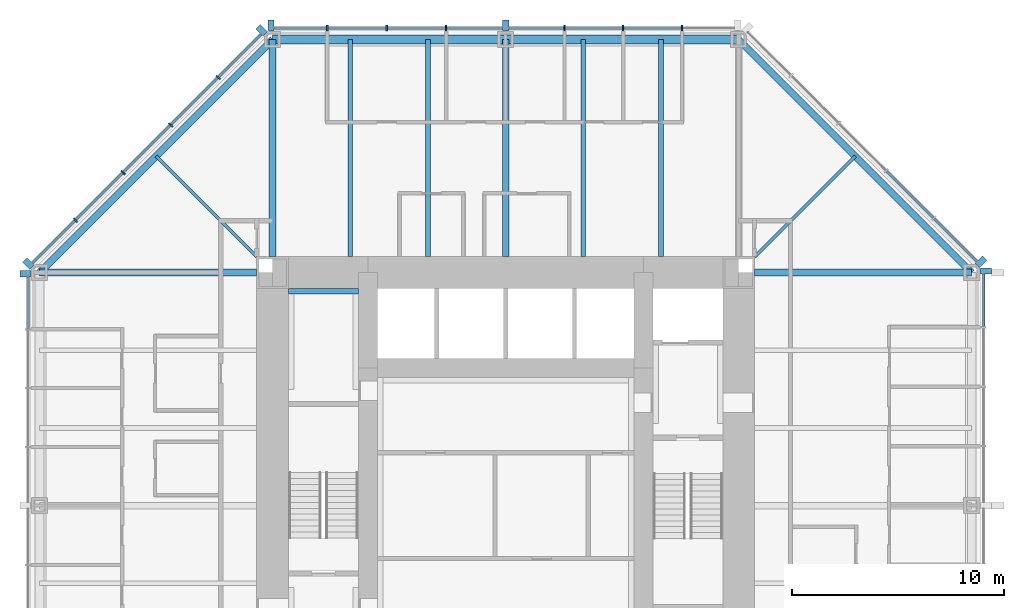
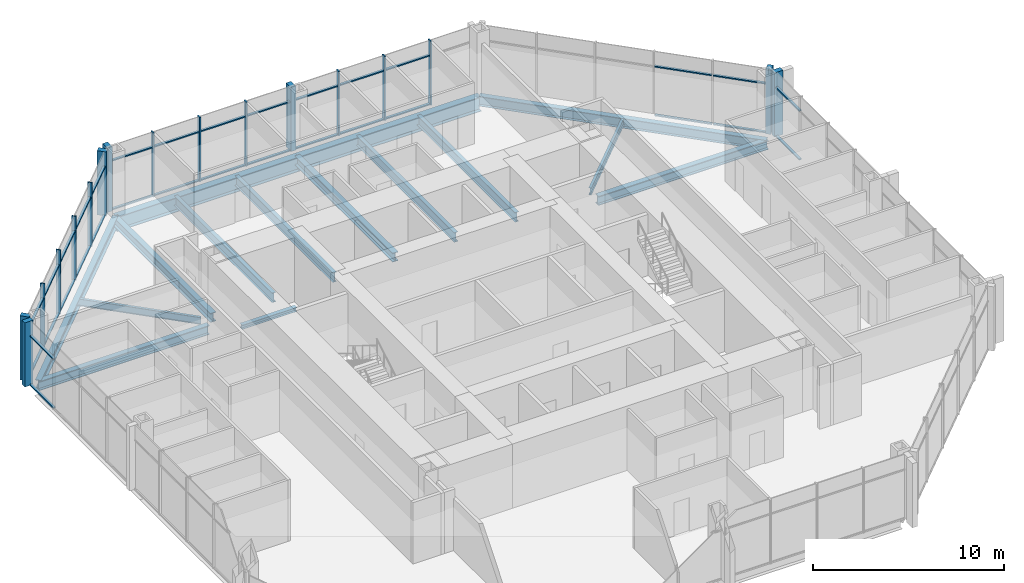
# One storey, part 5 of 14: 49 members, 15 beams, 5 elements without a shape of their own.
"""IFC4 building model written with IfcOpenShell, lengths in metres."""

from ifc_helpers import new_model, si_unit, direction, frame, origin, origin_2d, place, context, subcontext, project, spatial, rectangle, i_section, extrude, material, material_profile, profile_set, type_object, element, aggregate, save


model = new_model("IFC4")

# Units and contexts
model_context = context("Model", 3, precision=1e-05, world=origin(), true_north=direction((0.0, 1.0)))
body_context = subcontext(model_context, "Body", "Model", "MODEL_VIEW")
ifc_project = project(units=[si_unit("LENGTHUNIT", "METRE"), si_unit("AREAUNIT", "SQUARE_METRE"), si_unit("VOLUMEUNIT", "CUBIC_METRE"), si_unit("PLANEANGLEUNIT", "RADIAN"), si_unit("MASSUNIT", "GRAM", prefix="KILO")], contexts=[model_context])

# Site, building, storey
site_placement = place(None, origin())
site = spatial("IfcSite", under=ifc_project, at=site_placement, CompositionType="ELEMENT")
building_placement = place(site_placement, origin())
building = spatial("IfcBuilding", under=site, at=building_placement, Name="Trevanion Tower", CompositionType="ELEMENT")
storey_placement = place(building_placement, frame((0.0, 0.0, 109.0)))
storey = spatial("IfcBuildingStorey", under=building, at=storey_placement, Name="L25", CompositionType="ELEMENT", Elevation=109.0)

# Beams
ifc_material_1 = material(Name="Steel ASTM A992 Grade 50", Category="steel")
ifc_material_profile_1 = material_profile(ifc_material_1, i_section(OverallWidth=0.22900390625, OverallDepth=0.612060546875, WebThickness=0.011962890625, FlangeThickness=0.01953125, at=origin_2d()), Name="W24X84")
ifc_profile_set_1 = profile_set([ifc_material_profile_1], Name="Steel ASTM A992 Grade 50")
beam_type_1 = type_object("IfcBeamType", Name="B7 W24X84", PredefinedType="BEAM", material=ifc_profile_set_1)
for number, where, z_axis, x_axis, name in (
    (1, (7.333251953125, 11.75, -0.49609375), (0.0, 1.0, 0.0), (-1.0, 0.0, 0.0), "B7 L25"),
    (2, (3.666748046875, 11.75, -0.49609375), (0.0, 1.0, 0.0), (-1.0, 0.0, 0.0), "B7 L25"),
    (3, (-3.666748046875, 11.75, -0.49609375), (0.0, 1.0, 0.0), (-1.0, 0.0, 0.0), "B7 L25"),
    (4, (-7.333251953125, 11.75, -0.49609375), (0.0, 1.0, 0.0), (-1.0, 0.0, 0.0), "B7 L25"),
):
    element("IfcBeam", number, at=place(storey_placement, frame(where, z_axis=z_axis, x_axis=x_axis)), inside=storey, type_object=beam_type_1, Name=name, PredefinedType="BEAM", context=body_context, shape_type="SweptSolid", body=[
        extrude(i_section(OverallWidth=0.22900390625, OverallDepth=0.612060546875, WebThickness=0.011962890625, FlangeThickness=0.01953125, at=origin_2d()), origin(), (0.0, 0.0, 1.0), 10.25),
    ])
ifc_material_2 = material(Name="Steel ASTM A992 Grade 50", Category="steel")
ifc_material_profile_2 = material_profile(ifc_material_2, i_section(OverallWidth=0.15234375, OverallDepth=0.449462890625, WebThickness=0.007568359375, FlangeThickness=0.0107421875, at=origin_2d()), Name="W18X35")
ifc_profile_set_2 = profile_set([ifc_material_profile_2], Name="Steel ASTM A992 Grade 50")
beam_type_2 = type_object("IfcBeamType", Name="B8 W18X35", PredefinedType="BEAM", material=ifc_profile_set_2)
for number, where, z_axis, x_axis, name in (
    (5, (11.75, 11.75, -0.414794921875), (0.707106781187, 0.707106781187, 0.0), (-0.707106781187, 0.707106781187, 0.0), "B8 L25"),
    (6, (-11.75, 11.75, -0.414794921875), (-0.707106781187, 0.707106781187, 0.0), (-0.707106781187, -0.707106781187, 0.0), "B8 L25"),
):
    element("IfcBeam", number, at=place(storey_placement, frame(where, z_axis=z_axis, x_axis=x_axis)), inside=storey, type_object=beam_type_2, Name=name, PredefinedType="BEAM", context=body_context, shape_type="SweptSolid", body=[
        extrude(i_section(OverallWidth=0.15234375, OverallDepth=0.449462890625, WebThickness=0.007568359375, FlangeThickness=0.0107421875, at=origin_2d()), origin(), (0.0, 0.0, 1.0), 6.717529296875),
    ])

# Curtain wall, members
ifc_material_3 = material(Name="Aluminium and glass", Category="aluminium")
curtain_wall_type = type_object("IfcCurtainWallType", Name="CW2 curtain wall", PredefinedType="USERDEFINED", material=ifc_material_3)
curtain_wall_1_placement = place(storey_placement, origin())
curtain_wall_1 = element("IfcCurtainWall", 7, at=curtain_wall_1_placement, inside=storey, type_object=curtain_wall_type, Name="CW2 L25 2", ObjectType="UNITISED CURTAIN WALL", PredefinedType="USERDEFINED")
ifc_material_4 = material(Name="Aluminium extrusion, anodised bronze", Category="aluminium")
ifc_material_profile_3 = material_profile(ifc_material_4, rectangle(XDim=0.074951171875, YDim=0.25, at=origin_2d()), Name="CW2 mullion")
ifc_profile_set_3 = profile_set([ifc_material_profile_3], Name="Aluminium extrusion, anodised bronze")
member_type_1 = type_object("IfcMemberType", Name="CW2 mullion", PredefinedType="MULLION", material=ifc_profile_set_3)
member_1_placement = place(storey_placement, frame((8.323486328125, 22.550048828125, -0.18994140625), z_axis=(0.0, 0.0, 1.0), x_axis=(-1.0, 0.0, 0.0)))
member_1 = element("IfcMember", 8, at=member_1_placement, type_object=member_type_1, Name="CW2 mullion 2", PredefinedType="MULLION", context=body_context, shape_type="SweptSolid", body=[
    extrude(rectangle(XDim=0.074951171875, YDim=0.25, at=origin_2d()), origin(), (0.0, 0.0, 1.0), 4.099853515625),
])
member_2_placement = place(storey_placement, frame((5.548828125, 22.550048828125, -0.18994140625), z_axis=(0.0, 0.0, 1.0), x_axis=(-1.0, 0.0, 0.0)))
member_2 = element("IfcMember", 9, at=member_2_placement, type_object=member_type_1, Name="CW2 mullion 3", PredefinedType="MULLION", context=body_context, shape_type="SweptSolid", body=[
    extrude(rectangle(XDim=0.074951171875, YDim=0.25, at=origin_2d()), origin(), (0.0, 0.0, 1.0), 4.099853515625),
])
member_3_placement = place(storey_placement, frame((2.7744140625, 22.550048828125, -0.18994140625), z_axis=(0.0, 0.0, 1.0), x_axis=(-1.0, 0.0, 0.0)))
member_3 = element("IfcMember", 10, at=member_3_placement, type_object=member_type_1, Name="CW2 mullion 4", PredefinedType="MULLION", context=body_context, shape_type="SweptSolid", body=[
    extrude(rectangle(XDim=0.074951171875, YDim=0.25, at=origin_2d()), origin(), (0.0, 0.0, 1.0), 4.099853515625),
])
member_4_placement = place(storey_placement, frame((-2.806884765625, 22.550048828125, -0.18994140625), z_axis=(0.0, 0.0, 1.0), x_axis=(-1.0, 0.0, 0.0)))
member_4 = element("IfcMember", 11, at=member_4_placement, type_object=member_type_1, Name="CW2 mullion 6", PredefinedType="MULLION", context=body_context, shape_type="SweptSolid", body=[
    extrude(rectangle(XDim=0.074951171875, YDim=0.25, at=origin_2d()), origin(), (0.0, 0.0, 1.0), 4.099853515625),
])
member_5_placement = place(storey_placement, frame((-5.614013671875, 22.550048828125, -0.18994140625), z_axis=(0.0, 0.0, 1.0), x_axis=(-1.0, 0.0, 0.0)))
member_5 = element("IfcMember", 12, at=member_5_placement, type_object=member_type_1, Name="CW2 mullion 7", PredefinedType="MULLION", context=body_context, shape_type="SweptSolid", body=[
    extrude(rectangle(XDim=0.074951171875, YDim=0.25, at=origin_2d()), origin(), (0.0, 0.0, 1.0), 4.099853515625),
])
member_6_placement = place(storey_placement, frame((-8.4208984375, 22.550048828125, -0.18994140625), z_axis=(0.0, 0.0, 1.0), x_axis=(-1.0, 0.0, 0.0)))
member_6 = element("IfcMember", 13, at=member_6_placement, type_object=member_type_1, Name="CW2 mullion 8", PredefinedType="MULLION", context=body_context, shape_type="SweptSolid", body=[
    extrude(rectangle(XDim=0.074951171875, YDim=0.25, at=origin_2d()), origin(), (0.0, 0.0, 1.0), 4.099853515625),
])

curtain_wall_2_placement = place(storey_placement, origin())
curtain_wall_2 = element("IfcCurtainWall", 14, at=curtain_wall_2_placement, inside=storey, type_object=curtain_wall_type, Name="CW2 L25 3", ObjectType="UNITISED CURTAIN WALL", PredefinedType="USERDEFINED")
member_7_placement = place(storey_placement, frame((-13.56591796875, 20.2119140625, -0.18994140625), z_axis=(0.0, 0.0, 1.0), x_axis=(-0.707106781187, -0.707106781187, 0.0)))
member_7 = element("IfcMember", 15, at=member_7_placement, type_object=member_type_1, Name="CW2 mullion 2", PredefinedType="MULLION", context=body_context, shape_type="SweptSolid", body=[
    extrude(rectangle(XDim=0.074951171875, YDim=0.25, at=origin_2d()), origin(), (0.0, 0.0, 1.0), 4.099853515625),
])
member_8_placement = place(storey_placement, frame((-15.811767578125, 17.966064453125, -0.18994140625), z_axis=(0.0, 0.0, 1.0), x_axis=(-0.707106781187, -0.707106781187, 0.0)))
member_8 = element("IfcMember", 16, at=member_8_placement, type_object=member_type_1, Name="CW2 mullion 3", PredefinedType="MULLION", context=body_context, shape_type="SweptSolid", body=[
    extrude(rectangle(XDim=0.074951171875, YDim=0.25, at=origin_2d()), origin(), (0.0, 0.0, 1.0), 4.099853515625),
])
member_9_placement = place(storey_placement, frame((-18.057861328125, 15.719970703125, -0.18994140625), z_axis=(0.0, 0.0, 1.0), x_axis=(-0.707106781187, -0.707106781187, 0.0)))
member_9 = element("IfcMember", 17, at=member_9_placement, type_object=member_type_1, Name="CW2 mullion 4", PredefinedType="MULLION", context=body_context, shape_type="SweptSolid", body=[
    extrude(rectangle(XDim=0.074951171875, YDim=0.25, at=origin_2d()), origin(), (0.0, 0.0, 1.0), 4.099853515625),
])
member_10_placement = place(storey_placement, frame((-20.303955078125, 13.473876953125, -0.18994140625), z_axis=(0.0, 0.0, 1.0), x_axis=(-0.707106781187, -0.707106781187, 0.0)))
member_10 = element("IfcMember", 18, at=member_10_placement, type_object=member_type_1, Name="CW2 mullion 5", PredefinedType="MULLION", context=body_context, shape_type="SweptSolid", body=[
    extrude(rectangle(XDim=0.074951171875, YDim=0.25, at=origin_2d()), origin(), (0.0, 0.0, 1.0), 4.099853515625),
])

# Curtain wall, member
curtain_wall_3_placement = place(storey_placement, origin())
curtain_wall_3 = element("IfcCurtainWall", 19, at=curtain_wall_3_placement, inside=storey, type_object=curtain_wall_type, Name="CW2 L25 0", ObjectType="UNITISED CURTAIN WALL", PredefinedType="USERDEFINED")
ifc_material_5 = material(Name="Aluminium extrusion, anodised bronze", Category="aluminium")
ifc_material_profile_4 = material_profile(ifc_material_5, rectangle(XDim=0.300048828125, YDim=0.5, at=origin_2d()), Name="CW2 pier mullion")
ifc_profile_set_4 = profile_set([ifc_material_profile_4], Name="Aluminium extrusion, anodised bronze")
member_type_2 = type_object("IfcMemberType", Name="CW2 pier mullion", PredefinedType="MULLION", material=ifc_profile_set_4)
member_11_placement = place(storey_placement, frame((22.675048828125, 11.077880859375, -0.18994140625), z_axis=(0.0, 0.0, 1.0), x_axis=(0.0, 1.0, 0.0)))
member_11 = element("IfcMember", 20, at=member_11_placement, type_object=member_type_2, Name="CW2 pier mullion 9", PredefinedType="MULLION", context=body_context, shape_type="SweptSolid", body=[
    extrude(rectangle(XDim=0.300048828125, YDim=0.5, at=origin_2d()), origin(), (0.0, 0.0, 1.0), 4.099853515625),
])

curtain_wall_4_placement = place(storey_placement, origin())
curtain_wall_4 = element("IfcCurtainWall", 21, at=curtain_wall_4_placement, inside=storey, type_object=curtain_wall_type, Name="CW2 L25 1", ObjectType="UNITISED CURTAIN WALL", PredefinedType="USERDEFINED")
member_12_placement = place(storey_placement, frame((22.4404296875, 11.51416015625, -0.18994140625), z_axis=(0.0, 0.0, 1.0), x_axis=(-0.707106781187, 0.707106781187, 0.0)))
member_12 = element("IfcMember", 22, at=member_12_placement, type_object=member_type_2, Name="CW2 pier mullion 1", PredefinedType="MULLION", context=body_context, shape_type="SweptSolid", body=[
    extrude(rectangle(XDim=0.300048828125, YDim=0.5, at=origin_2d()), origin(), (0.0, 0.0, 1.0), 4.099853515625),
])

# Member
member_13_placement = place(storey_placement, frame((0.0, 22.675048828125, -0.18994140625), z_axis=(0.0, 0.0, 1.0), x_axis=(-1.0, 0.0, 0.0)))
member_13 = element("IfcMember", 23, at=member_13_placement, type_object=member_type_2, Name="CW2 pier mullion 5", PredefinedType="MULLION", context=body_context, shape_type="SweptSolid", body=[
    extrude(rectangle(XDim=0.300048828125, YDim=0.5, at=origin_2d()), origin(), (0.0, 0.0, 1.0), 4.099853515625),
])

member_14_placement = place(storey_placement, frame((-11.077880859375, 22.675048828125, -0.18994140625), z_axis=(0.0, 0.0, 1.0), x_axis=(-1.0, 0.0, 0.0)))
member_14 = element("IfcMember", 24, at=member_14_placement, type_object=member_type_2, Name="CW2 pier mullion 9", PredefinedType="MULLION", context=body_context, shape_type="SweptSolid", body=[
    extrude(rectangle(XDim=0.300048828125, YDim=0.5, at=origin_2d()), origin(), (0.0, 0.0, 1.0), 4.099853515625),
])

member_15_placement = place(storey_placement, frame((-11.51416015625, 22.4404296875, -0.18994140625), z_axis=(0.0, 0.0, 1.0), x_axis=(-0.707106781187, -0.707106781187, 0.0)))
member_15 = element("IfcMember", 25, at=member_15_placement, type_object=member_type_2, Name="CW2 pier mullion 1", PredefinedType="MULLION", context=body_context, shape_type="SweptSolid", body=[
    extrude(rectangle(XDim=0.300048828125, YDim=0.5, at=origin_2d()), origin(), (0.0, 0.0, 1.0), 4.099853515625),
])

member_16_placement = place(storey_placement, frame((-22.5322265625, 11.42236328125, -0.18994140625), z_axis=(0.0, 0.0, 1.0), x_axis=(-0.707106781187, -0.707106781187, 0.0)))
member_16 = element("IfcMember", 26, at=member_16_placement, type_object=member_type_2, Name="CW2 pier mullion 6", PredefinedType="MULLION", context=body_context, shape_type="SweptSolid", body=[
    extrude(rectangle(XDim=0.300048828125, YDim=0.5, at=origin_2d()), origin(), (0.0, 0.0, 1.0), 4.099853515625),
])

# Curtain wall, member
curtain_wall_5_placement = place(storey_placement, origin())
curtain_wall_5 = element("IfcCurtainWall", 27, at=curtain_wall_5_placement, inside=storey, type_object=curtain_wall_type, Name="CW2 L25 4", ObjectType="UNITISED CURTAIN WALL", PredefinedType="USERDEFINED")
member_17_placement = place(storey_placement, frame((-22.675048828125, 10.94775390625, -0.18994140625), z_axis=(0.0, 0.0, 1.0), x_axis=(0.0, -1.0, 0.0)))
member_17 = element("IfcMember", 28, at=member_17_placement, type_object=member_type_2, Name="CW2 pier mullion 1", PredefinedType="MULLION", context=body_context, shape_type="SweptSolid", body=[
    extrude(rectangle(XDim=0.300048828125, YDim=0.5, at=origin_2d()), origin(), (0.0, 0.0, 1.0), 4.099853515625),
])

# Member
ifc_material_6 = material(Name="Aluminium extrusion, anodised bronze", Category="aluminium")
ifc_material_profile_5 = material_profile(ifc_material_6, rectangle(XDim=0.14990234375, YDim=0.074951171875, at=origin_2d()), Name="CW2 transom")
ifc_profile_set_5 = profile_set([ifc_material_profile_5], Name="Aluminium extrusion, anodised bronze")
member_type_3 = type_object("IfcMemberType", Name="CW2 transom", PredefinedType="USERDEFINED", material=ifc_profile_set_5)
member_18_placement = place(storey_placement, frame((22.550048828125, 8.45849609375, -0.152587890625), z_axis=(0.0, 1.0, 0.0), x_axis=(-1.0, 0.0, 0.0)))
member_18 = element("IfcMember", 29, at=member_18_placement, type_object=member_type_3, Name="CW2 transom 8.1", ObjectType="TRANSOM", PredefinedType="USERDEFINED", context=body_context, shape_type="SweptSolid", body=[
    extrude(rectangle(XDim=0.14990234375, YDim=0.074951171875, at=origin_2d()), origin(), (0.0, 0.0, 1.0), 2.46923828125),
])

member_19_placement = place(storey_placement, frame((22.550048828125, 8.45849609375, 2.9599609375), z_axis=(0.0, 1.0, 0.0), x_axis=(-1.0, 0.0, 0.0)))
member_19 = element("IfcMember", 30, at=member_19_placement, type_object=member_type_3, Name="CW2 transom 8.2", ObjectType="TRANSOM", PredefinedType="USERDEFINED", context=body_context, shape_type="SweptSolid", body=[
    extrude(rectangle(XDim=0.14990234375, YDim=0.074951171875, at=origin_2d()), origin(), (0.0, 0.0, 1.0), 2.46923828125),
])

aggregate(curtain_wall_3, [member_11, member_18, member_19])

member_20_placement = place(storey_placement, frame((22.245849609375, 11.531982421875, -0.152587890625), z_axis=(-0.707106781187, 0.707106781187, 0.0), x_axis=(-0.707106781187, -0.707106781187, 0.0)))
member_20 = element("IfcMember", 31, at=member_20_placement, type_object=member_type_3, Name="CW2 transom 1.1", ObjectType="TRANSOM", PredefinedType="USERDEFINED", context=body_context, shape_type="SweptSolid", body=[
    extrude(rectangle(XDim=0.14990234375, YDim=0.074951171875, at=origin_2d()), origin(), (0.0, 0.0, 1.0), 2.8388671875),
])

member_21_placement = place(storey_placement, frame((22.245849609375, 11.531982421875, 2.9599609375), z_axis=(-0.707106781187, 0.707106781187, 0.0), x_axis=(-0.707106781187, -0.707106781187, 0.0)))
member_21 = element("IfcMember", 32, at=member_21_placement, type_object=member_type_3, Name="CW2 transom 1.2", ObjectType="TRANSOM", PredefinedType="USERDEFINED", context=body_context, shape_type="SweptSolid", body=[
    extrude(rectangle(XDim=0.14990234375, YDim=0.074951171875, at=origin_2d()), origin(), (0.0, 0.0, 1.0), 2.8388671875),
])

member_22_placement = place(storey_placement, frame((20.185546875, 13.59228515625, -0.152587890625), z_axis=(-0.707106781187, 0.707106781187, 0.0), x_axis=(-0.707106781187, -0.707106781187, 0.0)))
member_22 = element("IfcMember", 33, at=member_22_placement, type_object=member_type_3, Name="CW2 transom 2.1", ObjectType="TRANSOM", PredefinedType="USERDEFINED", context=body_context, shape_type="SweptSolid", body=[
    extrude(rectangle(XDim=0.14990234375, YDim=0.074951171875, at=origin_2d()), origin(), (0.0, 0.0, 1.0), 3.1015625),
])

member_23_placement = place(storey_placement, frame((20.185546875, 13.59228515625, 2.9599609375), z_axis=(-0.707106781187, 0.707106781187, 0.0), x_axis=(-0.707106781187, -0.707106781187, 0.0)))
member_23 = element("IfcMember", 34, at=member_23_placement, type_object=member_type_3, Name="CW2 transom 2.2", ObjectType="TRANSOM", PredefinedType="USERDEFINED", context=body_context, shape_type="SweptSolid", body=[
    extrude(rectangle(XDim=0.14990234375, YDim=0.074951171875, at=origin_2d()), origin(), (0.0, 0.0, 1.0), 3.1015625),
])

aggregate(curtain_wall_4, [member_12, member_20, member_21, member_22, member_23])

member_24_placement = place(storey_placement, frame((8.285888671875, 22.550048828125, -0.152587890625), z_axis=(-1.0, 0.0, 0.0), x_axis=(0.0, -1.0, 0.0)))
member_24 = element("IfcMember", 35, at=member_24_placement, type_object=member_type_3, Name="CW2 transom 2.1", ObjectType="TRANSOM", PredefinedType="USERDEFINED", context=body_context, shape_type="SweptSolid", body=[
    extrude(rectangle(XDim=0.14990234375, YDim=0.074951171875, at=origin_2d()), origin(), (0.0, 0.0, 1.0), 2.699462890625),
])

member_25_placement = place(storey_placement, frame((8.285888671875, 22.550048828125, 2.9599609375), z_axis=(-1.0, 0.0, 0.0), x_axis=(0.0, -1.0, 0.0)))
member_25 = element("IfcMember", 36, at=member_25_placement, type_object=member_type_3, Name="CW2 transom 2.2", ObjectType="TRANSOM", PredefinedType="USERDEFINED", context=body_context, shape_type="SweptSolid", body=[
    extrude(rectangle(XDim=0.14990234375, YDim=0.074951171875, at=origin_2d()), origin(), (0.0, 0.0, 1.0), 2.699462890625),
])

member_26_placement = place(storey_placement, frame((5.511474609375, 22.550048828125, -0.152587890625), z_axis=(-1.0, 0.0, 0.0), x_axis=(0.0, -1.0, 0.0)))
member_26 = element("IfcMember", 37, at=member_26_placement, type_object=member_type_3, Name="CW2 transom 3.1", ObjectType="TRANSOM", PredefinedType="USERDEFINED", context=body_context, shape_type="SweptSolid", body=[
    extrude(rectangle(XDim=0.14990234375, YDim=0.074951171875, at=origin_2d()), origin(), (0.0, 0.0, 1.0), 2.699462890625),
])

member_27_placement = place(storey_placement, frame((5.511474609375, 22.550048828125, 2.9599609375), z_axis=(-1.0, 0.0, 0.0), x_axis=(0.0, -1.0, 0.0)))
member_27 = element("IfcMember", 38, at=member_27_placement, type_object=member_type_3, Name="CW2 transom 3.2", ObjectType="TRANSOM", PredefinedType="USERDEFINED", context=body_context, shape_type="SweptSolid", body=[
    extrude(rectangle(XDim=0.14990234375, YDim=0.074951171875, at=origin_2d()), origin(), (0.0, 0.0, 1.0), 2.699462890625),
])

member_28_placement = place(storey_placement, frame((2.737060546875, 22.550048828125, -0.152587890625), z_axis=(-1.0, 0.0, 0.0), x_axis=(0.0, -1.0, 0.0)))
member_28 = element("IfcMember", 39, at=member_28_placement, type_object=member_type_3, Name="CW2 transom 4.1", ObjectType="TRANSOM", PredefinedType="USERDEFINED", context=body_context, shape_type="SweptSolid", body=[
    extrude(rectangle(XDim=0.14990234375, YDim=0.074951171875, at=origin_2d()), origin(), (0.0, 0.0, 1.0), 2.587158203125),
])

member_29_placement = place(storey_placement, frame((2.737060546875, 22.550048828125, 2.9599609375), z_axis=(-1.0, 0.0, 0.0), x_axis=(0.0, -1.0, 0.0)))
member_29 = element("IfcMember", 40, at=member_29_placement, type_object=member_type_3, Name="CW2 transom 4.2", ObjectType="TRANSOM", PredefinedType="USERDEFINED", context=body_context, shape_type="SweptSolid", body=[
    extrude(rectangle(XDim=0.14990234375, YDim=0.074951171875, at=origin_2d()), origin(), (0.0, 0.0, 1.0), 2.587158203125),
])

member_30_placement = place(storey_placement, frame((-0.14990234375, 22.550048828125, -0.152587890625), z_axis=(-1.0, 0.0, 0.0), x_axis=(0.0, -1.0, 0.0)))
member_30 = element("IfcMember", 41, at=member_30_placement, type_object=member_type_3, Name="CW2 transom 5.1", ObjectType="TRANSOM", PredefinedType="USERDEFINED", context=body_context, shape_type="SweptSolid", body=[
    extrude(rectangle(XDim=0.14990234375, YDim=0.074951171875, at=origin_2d()), origin(), (0.0, 0.0, 1.0), 2.619384765625),
])

member_31_placement = place(storey_placement, frame((-0.14990234375, 22.550048828125, 2.9599609375), z_axis=(-1.0, 0.0, 0.0), x_axis=(0.0, -1.0, 0.0)))
member_31 = element("IfcMember", 42, at=member_31_placement, type_object=member_type_3, Name="CW2 transom 5.2", ObjectType="TRANSOM", PredefinedType="USERDEFINED", context=body_context, shape_type="SweptSolid", body=[
    extrude(rectangle(XDim=0.14990234375, YDim=0.074951171875, at=origin_2d()), origin(), (0.0, 0.0, 1.0), 2.619384765625),
])

member_32_placement = place(storey_placement, frame((-2.844482421875, 22.550048828125, -0.152587890625), z_axis=(-1.0, 0.0, 0.0), x_axis=(0.0, -1.0, 0.0)))
member_32 = element("IfcMember", 43, at=member_32_placement, type_object=member_type_3, Name="CW2 transom 6.1", ObjectType="TRANSOM", PredefinedType="USERDEFINED", context=body_context, shape_type="SweptSolid", body=[
    extrude(rectangle(XDim=0.14990234375, YDim=0.074951171875, at=origin_2d()), origin(), (0.0, 0.0, 1.0), 2.73193359375),
])

member_33_placement = place(storey_placement, frame((-2.844482421875, 22.550048828125, 2.9599609375), z_axis=(-1.0, 0.0, 0.0), x_axis=(0.0, -1.0, 0.0)))
member_33 = element("IfcMember", 44, at=member_33_placement, type_object=member_type_3, Name="CW2 transom 6.2", ObjectType="TRANSOM", PredefinedType="USERDEFINED", context=body_context, shape_type="SweptSolid", body=[
    extrude(rectangle(XDim=0.14990234375, YDim=0.074951171875, at=origin_2d()), origin(), (0.0, 0.0, 1.0), 2.73193359375),
])

member_34_placement = place(storey_placement, frame((-5.6513671875, 22.550048828125, -0.152587890625), z_axis=(-1.0, 0.0, 0.0), x_axis=(0.0, -1.0, 0.0)))
member_34 = element("IfcMember", 45, at=member_34_placement, type_object=member_type_3, Name="CW2 transom 7.1", ObjectType="TRANSOM", PredefinedType="USERDEFINED", context=body_context, shape_type="SweptSolid", body=[
    extrude(rectangle(XDim=0.14990234375, YDim=0.074951171875, at=origin_2d()), origin(), (0.0, 0.0, 1.0), 2.73193359375),
])

member_35_placement = place(storey_placement, frame((-5.6513671875, 22.550048828125, 2.9599609375), z_axis=(-1.0, 0.0, 0.0), x_axis=(0.0, -1.0, 0.0)))
member_35 = element("IfcMember", 46, at=member_35_placement, type_object=member_type_3, Name="CW2 transom 7.2", ObjectType="TRANSOM", PredefinedType="USERDEFINED", context=body_context, shape_type="SweptSolid", body=[
    extrude(rectangle(XDim=0.14990234375, YDim=0.074951171875, at=origin_2d()), origin(), (0.0, 0.0, 1.0), 2.73193359375),
])

member_36_placement = place(storey_placement, frame((-8.45849609375, 22.550048828125, -0.152587890625), z_axis=(-1.0, 0.0, 0.0), x_axis=(0.0, -1.0, 0.0)))
member_36 = element("IfcMember", 47, at=member_36_placement, type_object=member_type_3, Name="CW2 transom 8.1", ObjectType="TRANSOM", PredefinedType="USERDEFINED", context=body_context, shape_type="SweptSolid", body=[
    extrude(rectangle(XDim=0.14990234375, YDim=0.074951171875, at=origin_2d()), origin(), (0.0, 0.0, 1.0), 2.46923828125),
])

member_37_placement = place(storey_placement, frame((-8.45849609375, 22.550048828125, 2.9599609375), z_axis=(-1.0, 0.0, 0.0), x_axis=(0.0, -1.0, 0.0)))
member_37 = element("IfcMember", 48, at=member_37_placement, type_object=member_type_3, Name="CW2 transom 8.2", ObjectType="TRANSOM", PredefinedType="USERDEFINED", context=body_context, shape_type="SweptSolid", body=[
    extrude(rectangle(XDim=0.14990234375, YDim=0.074951171875, at=origin_2d()), origin(), (0.0, 0.0, 1.0), 2.46923828125),
])

aggregate(curtain_wall_1, [member_1, member_2, member_3, member_13, member_4, member_5, member_6, member_14, member_24, member_25, member_26, member_27, member_28, member_29, member_30, member_31, member_32, member_33, member_34, member_35, member_36, member_37])

member_38_placement = place(storey_placement, frame((-11.531982421875, 22.245849609375, -0.152587890625), z_axis=(-0.707106781187, -0.707106781187, 0.0), x_axis=(0.707106781187, -0.707106781187, 0.0)))
member_38 = element("IfcMember", 49, at=member_38_placement, type_object=member_type_3, Name="CW2 transom 1.1", ObjectType="TRANSOM", PredefinedType="USERDEFINED", context=body_context, shape_type="SweptSolid", body=[
    extrude(rectangle(XDim=0.14990234375, YDim=0.074951171875, at=origin_2d()), origin(), (0.0, 0.0, 1.0), 2.8388671875),
])

member_39_placement = place(storey_placement, frame((-11.531982421875, 22.245849609375, 2.9599609375), z_axis=(-0.707106781187, -0.707106781187, 0.0), x_axis=(0.707106781187, -0.707106781187, 0.0)))
member_39 = element("IfcMember", 50, at=member_39_placement, type_object=member_type_3, Name="CW2 transom 1.2", ObjectType="TRANSOM", PredefinedType="USERDEFINED", context=body_context, shape_type="SweptSolid", body=[
    extrude(rectangle(XDim=0.14990234375, YDim=0.074951171875, at=origin_2d()), origin(), (0.0, 0.0, 1.0), 2.8388671875),
])

member_40_placement = place(storey_placement, frame((-13.59228515625, 20.185546875, -0.152587890625), z_axis=(-0.707106781187, -0.707106781187, 0.0), x_axis=(0.707106781187, -0.707106781187, 0.0)))
member_40 = element("IfcMember", 51, at=member_40_placement, type_object=member_type_3, Name="CW2 transom 2.1", ObjectType="TRANSOM", PredefinedType="USERDEFINED", context=body_context, shape_type="SweptSolid", body=[
    extrude(rectangle(XDim=0.14990234375, YDim=0.074951171875, at=origin_2d()), origin(), (0.0, 0.0, 1.0), 3.1015625),
])

member_41_placement = place(storey_placement, frame((-13.59228515625, 20.185546875, 2.9599609375), z_axis=(-0.707106781187, -0.707106781187, 0.0), x_axis=(0.707106781187, -0.707106781187, 0.0)))
member_41 = element("IfcMember", 52, at=member_41_placement, type_object=member_type_3, Name="CW2 transom 2.2", ObjectType="TRANSOM", PredefinedType="USERDEFINED", context=body_context, shape_type="SweptSolid", body=[
    extrude(rectangle(XDim=0.14990234375, YDim=0.074951171875, at=origin_2d()), origin(), (0.0, 0.0, 1.0), 3.1015625),
])

member_42_placement = place(storey_placement, frame((-15.83837890625, 17.939453125, -0.152587890625), z_axis=(-0.707106781187, -0.707106781187, 0.0), x_axis=(0.707106781187, -0.707106781187, 0.0)))
member_42 = element("IfcMember", 53, at=member_42_placement, type_object=member_type_3, Name="CW2 transom 3.1", ObjectType="TRANSOM", PredefinedType="USERDEFINED", context=body_context, shape_type="SweptSolid", body=[
    extrude(rectangle(XDim=0.14990234375, YDim=0.074951171875, at=origin_2d()), origin(), (0.0, 0.0, 1.0), 3.1015625),
])

member_43_placement = place(storey_placement, frame((-15.83837890625, 17.939453125, 2.9599609375), z_axis=(-0.707106781187, -0.707106781187, 0.0), x_axis=(0.707106781187, -0.707106781187, 0.0)))
member_43 = element("IfcMember", 54, at=member_43_placement, type_object=member_type_3, Name="CW2 transom 3.2", ObjectType="TRANSOM", PredefinedType="USERDEFINED", context=body_context, shape_type="SweptSolid", body=[
    extrude(rectangle(XDim=0.14990234375, YDim=0.074951171875, at=origin_2d()), origin(), (0.0, 0.0, 1.0), 3.1015625),
])

member_44_placement = place(storey_placement, frame((-18.08447265625, 15.693359375, -0.152587890625), z_axis=(-0.707106781187, -0.707106781187, 0.0), x_axis=(0.707106781187, -0.707106781187, 0.0)))
member_44 = element("IfcMember", 55, at=member_44_placement, type_object=member_type_3, Name="CW2 transom 4.1", ObjectType="TRANSOM", PredefinedType="USERDEFINED", context=body_context, shape_type="SweptSolid", body=[
    extrude(rectangle(XDim=0.14990234375, YDim=0.074951171875, at=origin_2d()), origin(), (0.0, 0.0, 1.0), 3.10107421875),
])

member_45_placement = place(storey_placement, frame((-18.08447265625, 15.693359375, 2.9599609375), z_axis=(-0.707106781187, -0.707106781187, 0.0), x_axis=(0.707106781187, -0.707106781187, 0.0)))
member_45 = element("IfcMember", 56, at=member_45_placement, type_object=member_type_3, Name="CW2 transom 4.2", ObjectType="TRANSOM", PredefinedType="USERDEFINED", context=body_context, shape_type="SweptSolid", body=[
    extrude(rectangle(XDim=0.14990234375, YDim=0.074951171875, at=origin_2d()), origin(), (0.0, 0.0, 1.0), 3.10107421875),
])

member_46_placement = place(storey_placement, frame((-20.33056640625, 13.447509765625, -0.152587890625), z_axis=(-0.707063781595, -0.707149778163, 0.0), x_axis=(0.707149778163, -0.707063781595, 0.0)))
member_46 = element("IfcMember", 57, at=member_46_placement, type_object=member_type_3, Name="CW2 transom 5.1", ObjectType="TRANSOM", PredefinedType="USERDEFINED", context=body_context, shape_type="SweptSolid", body=[
    extrude(rectangle(XDim=0.14990234375, YDim=0.074951171875, at=origin_2d()), origin(), (0.0, 0.0, 1.0), 2.8388671875),
])

member_47_placement = place(storey_placement, frame((-20.33056640625, 13.447509765625, 2.9599609375), z_axis=(-0.707063781595, -0.707149778163, 0.0), x_axis=(0.707149778163, -0.707063781595, 0.0)))
member_47 = element("IfcMember", 58, at=member_47_placement, type_object=member_type_3, Name="CW2 transom 5.2", ObjectType="TRANSOM", PredefinedType="USERDEFINED", context=body_context, shape_type="SweptSolid", body=[
    extrude(rectangle(XDim=0.14990234375, YDim=0.074951171875, at=origin_2d()), origin(), (0.0, 0.0, 1.0), 2.8388671875),
])

aggregate(curtain_wall_2, [member_15, member_7, member_8, member_9, member_10, member_16, member_38, member_39, member_40, member_41, member_42, member_43, member_44, member_45, member_46, member_47])

member_48_placement = place(storey_placement, frame((-22.550048828125, 10.7978515625, -0.152587890625), z_axis=(0.0, -1.0, 0.0), x_axis=(1.0, 0.0, 0.0)))
member_48 = element("IfcMember", 59, at=member_48_placement, type_object=member_type_3, Name="CW2 transom 1.1", ObjectType="TRANSOM", PredefinedType="USERDEFINED", context=body_context, shape_type="SweptSolid", body=[
    extrude(rectangle(XDim=0.14990234375, YDim=0.074951171875, at=origin_2d()), origin(), (0.0, 0.0, 1.0), 2.43701171875),
])

member_49_placement = place(storey_placement, frame((-22.550048828125, 10.7978515625, 2.9599609375), z_axis=(0.0, -1.0, 0.0), x_axis=(1.0, 0.0, 0.0)))
member_49 = element("IfcMember", 60, at=member_49_placement, type_object=member_type_3, Name="CW2 transom 1.2", ObjectType="TRANSOM", PredefinedType="USERDEFINED", context=body_context, shape_type="SweptSolid", body=[
    extrude(rectangle(XDim=0.14990234375, YDim=0.074951171875, at=origin_2d()), origin(), (0.0, 0.0, 1.0), 2.43701171875),
])

aggregate(curtain_wall_5, [member_17, member_48, member_49])

# Beams
ifc_material_7 = material(Name="Steel ASTM A992 Grade 50", Category="steel")
ifc_material_profile_6 = material_profile(ifc_material_7, i_section(OverallWidth=0.320068359375, OverallDepth=0.584228515625, WebThickness=0.023193359375, FlangeThickness=0.04150390625, at=origin_2d()), Name="W21X201")
ifc_profile_set_6 = profile_set([ifc_material_profile_6], Name="Steel ASTM A992 Grade 50")
beam_type_3 = type_object("IfcBeamType", Name="G4 W21X201", PredefinedType="BEAM", material=ifc_profile_set_6)
for number, where, z_axis, x_axis, name in (
    (61, (11.75, 11.0, -0.482177734375), (1.0, 0.0, 0.0), (0.0, 1.0, 0.0), "G4 L25"),
    (62, (0.0, 11.75, -0.482177734375), (0.0, 1.0, 0.0), (-1.0, 0.0, 0.0), "G4 L25"),
    (63, (-11.0, 11.75, -0.482177734375), (0.0, 1.0, 0.0), (-1.0, 0.0, 0.0), "G4 L25"),
    (64, (-11.75, 11.0, -0.482177734375), (-1.0, 0.0, 0.0), (0.0, -1.0, 0.0), "G4 L25"),
):
    element("IfcBeam", number, at=place(storey_placement, frame(where, z_axis=z_axis, x_axis=x_axis)), inside=storey, type_object=beam_type_3, Name=name, PredefinedType="BEAM", context=body_context, shape_type="SweptSolid", body=[
        extrude(i_section(OverallWidth=0.320068359375, OverallDepth=0.584228515625, WebThickness=0.023193359375, FlangeThickness=0.04150390625, at=origin_2d()), origin(), (0.0, 0.0, 1.0), 10.25),
    ])
ifc_material_8 = material(Name="Steel ASTM A992 Grade 50", Category="steel")
ifc_material_profile_7 = material_profile(ifc_material_8, i_section(OverallWidth=0.256591796875, OverallDepth=0.26416015625, WebThickness=0.011962890625, FlangeThickness=0.01953125, at=origin_2d()), Name="W10X68")
ifc_profile_set_7 = profile_set([ifc_material_profile_7], Name="Steel ASTM A992 Grade 50")
beam_type_4 = type_object("IfcBeamType", Name="LB1 W10X68", PredefinedType="BEAM", material=ifc_profile_set_7)
beam_placement = place(storey_placement, frame((-10.25, 10.12158203125, -0.33203125), z_axis=(1.0, 0.0, 0.0), x_axis=(0.0, 1.0, 0.0)))
element("IfcBeam", 65, at=beam_placement, inside=storey, type_object=beam_type_4, Name="LB1 L25", PredefinedType="BEAM", context=body_context, shape_type="SweptSolid", body=[
    extrude(i_section(OverallWidth=0.256591796875, OverallDepth=0.26416015625, WebThickness=0.011962890625, FlangeThickness=0.01953125, at=origin_2d()), origin(), (0.0, 0.0, 1.0), 3.300048828125),
])
ifc_material_9 = material(Name="Steel ASTM A992 Grade 50", Category="steel")
ifc_material_profile_8 = material_profile(ifc_material_9, i_section(OverallWidth=0.419189453125, OverallDepth=0.927001953125, WebThickness=0.019287109375, FlangeThickness=0.031982421875, at=origin_2d()), Name="W36X231")
ifc_profile_set_8 = profile_set([ifc_material_profile_8], Name="Steel ASTM A992 Grade 50")
beam_type_5 = type_object("IfcBeamType", Name="SB4 W36X231", PredefinedType="SPANDREL", material=ifc_profile_set_8)
for number, where, z_axis, x_axis, name in (
    (66, (11.0, 22.0, -0.653564453125), (-1.0, 0.0, 0.0), (0.0, -1.0, 0.0), "SB4 L25"),
    (67, (0.0, 22.0, -0.653564453125), (-1.0, 0.0, 0.0), (0.0, -1.0, 0.0), "SB4 L25"),
):
    element("IfcBeam", number, at=place(storey_placement, frame(where, z_axis=z_axis, x_axis=x_axis)), inside=storey, type_object=beam_type_5, Name=name, PredefinedType="SPANDREL", context=body_context, shape_type="SweptSolid", body=[
        extrude(i_section(OverallWidth=0.419189453125, OverallDepth=0.927001953125, WebThickness=0.019287109375, FlangeThickness=0.031982421875, at=origin_2d()), origin(), (0.0, 0.0, 1.0), 11.0),
    ])
ifc_material_10 = material(Name="Steel ASTM A992 Grade 50", Category="steel")
ifc_material_profile_9 = material_profile(ifc_material_10, i_section(OverallWidth=0.32763671875, OverallDepth=0.62744140625, WebThickness=0.0166015625, FlangeThickness=0.027587890625, at=origin_2d()), Name="W24X146")
ifc_profile_set_9 = profile_set([ifc_material_profile_9], Name="Steel ASTM A992 Grade 50")
beam_type_6 = type_object("IfcBeamType", Name="SB5 W24X146", PredefinedType="SPANDREL", material=ifc_profile_set_9)
for number, where, z_axis, x_axis, name in (
    (68, (22.0, 11.0, -0.503662109375), (-0.707106781187, 0.707106781187, 0.0), (-0.707106781187, -0.707106781187, 0.0), "SB5 L25"),
    (69, (-11.0, 22.0, -0.503662109375), (-0.707106781187, -0.707106781187, 0.0), (0.707106781187, -0.707106781187, 0.0), "SB5 L25"),
):
    element("IfcBeam", number, at=place(storey_placement, frame(where, z_axis=z_axis, x_axis=x_axis)), inside=storey, type_object=beam_type_6, Name=name, PredefinedType="SPANDREL", context=body_context, shape_type="SweptSolid", body=[
        extrude(i_section(OverallWidth=0.32763671875, OverallDepth=0.62744140625, WebThickness=0.0166015625, FlangeThickness=0.027587890625, at=origin_2d()), origin(), (0.0, 0.0, 1.0), 15.556396484375),
    ])

save(model, "model.ifc")
